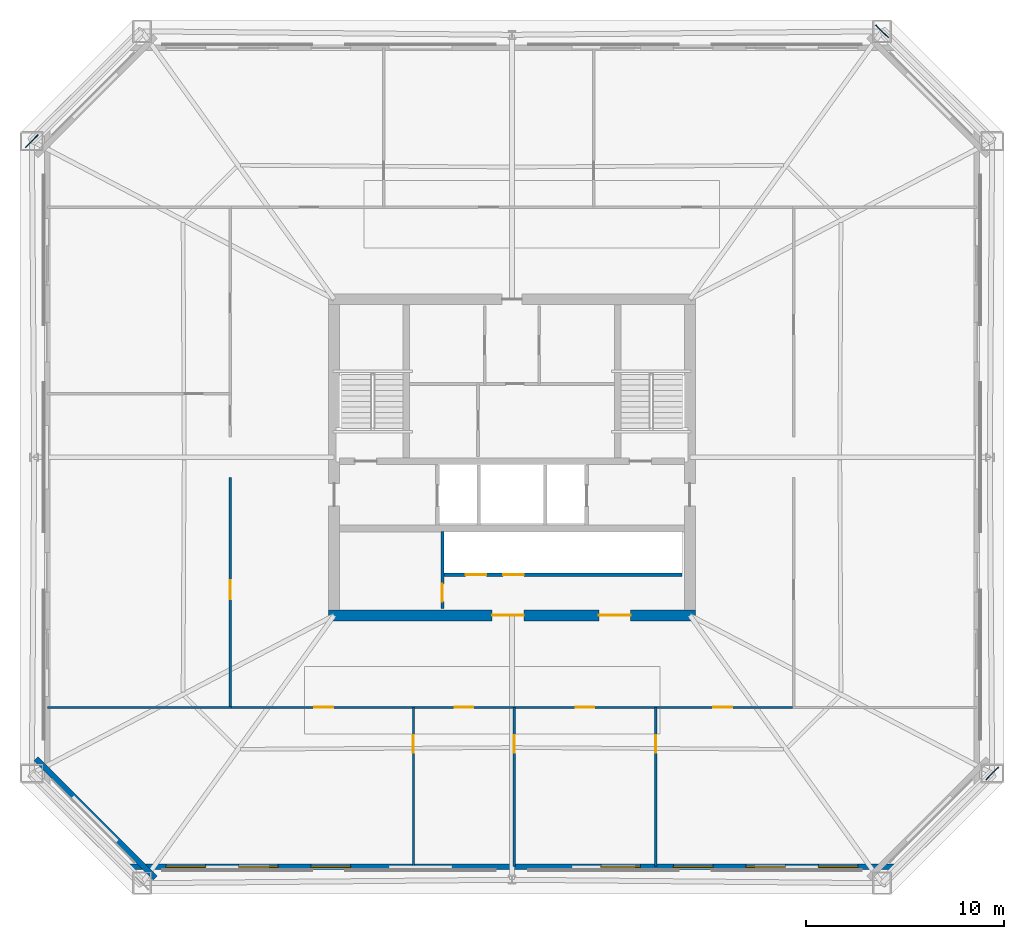
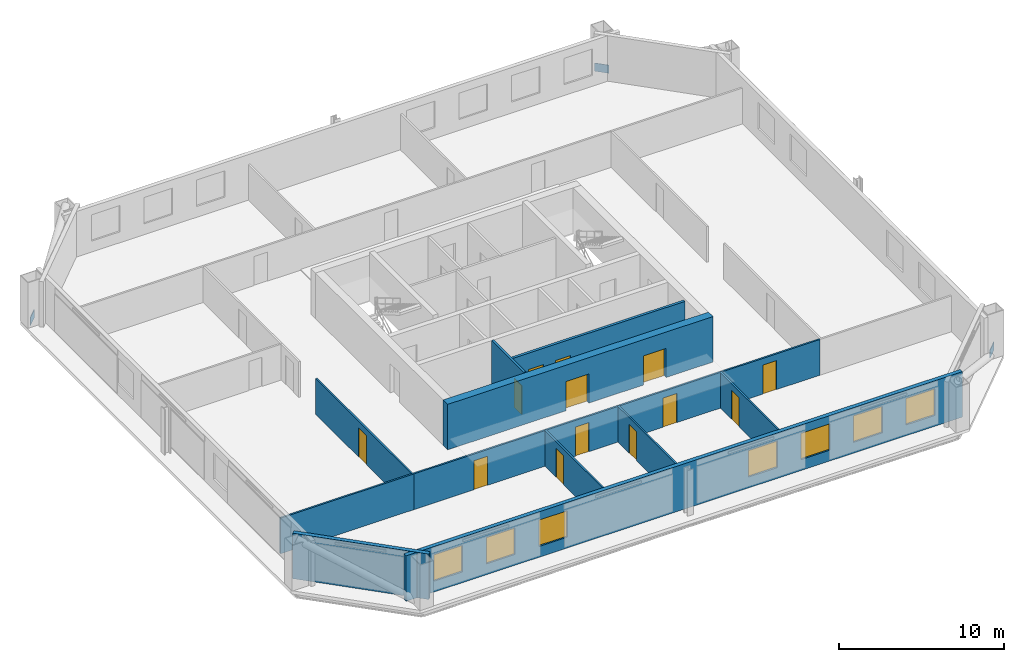
# One storey, part 2 of 7: 13 doors, 11 walls, 7 windows, 3 plates, 20 openings.
"""IFC4 building model written with IfcOpenShell, lengths in metres."""

from ifc_helpers import new_model, si_unit, direction, frame, frame_2d, origin, origin_2d, place, context, subcontext, project, spatial, rectangle, extrude, material, layer, layer_set, type_object, element, fill, save


model = new_model("IFC4")

# Units and contexts
model_context = context("Model", 3, precision=1e-05, world=origin(), true_north=direction((0.0, 1.0)))
body_context = subcontext(model_context, "Body", "Model", "MODEL_VIEW")
ifc_project = project(units=[si_unit("LENGTHUNIT", "METRE"), si_unit("AREAUNIT", "SQUARE_METRE"), si_unit("VOLUMEUNIT", "CUBIC_METRE"), si_unit("PLANEANGLEUNIT", "RADIAN"), si_unit("MASSUNIT", "GRAM", prefix="KILO")], contexts=[model_context])

# Site, building, storey
site_placement = place(None, origin())
site = spatial("IfcSite", under=ifc_project, at=site_placement, CompositionType="ELEMENT")
building_placement = place(site_placement, origin())
building = spatial("IfcBuilding", under=site, at=building_placement, Name="Caelvoria Tower", CompositionType="ELEMENT")
storey_placement = place(building_placement, frame((0.0, 0.0, 98.800048828125)))
storey = spatial("IfcBuildingStorey", under=building, at=storey_placement, Name="L25", CompositionType="ELEMENT", Elevation=98.800048828125)

# Plates
ifc_material_1 = material(Name="Structural Steel ASTM A572 Gr.50", Category="steel")
ifc_layer_1 = layer(ifc_material_1, 0.0400390625, Name="Structural Steel ASTM A572 Gr.50")
ifc_layer_set_1 = layer_set([ifc_layer_1], Name="Megaframe Node Gusset Plate 900x600x40 - Structural Steel ASTM A572 Gr.50")
plate_type = type_object("IfcPlateType", Name="Megaframe Node Gusset Plate 900x600x40", PredefinedType="USERDEFINED", material=ifc_layer_set_1)
for number, where, z_axis, x_axis, name in (
    (1, (70.298583984375, 15.99609375, 0.02001953125), (0.0, 0.0, 1.0), (-0.708275771936, -0.705935854656, 0.0), "Chamfer Mega Brace Gusset L25 SE"),
    (2, (64.727783203125, 53.556396484375, 0.02001953125), (0.0, 0.0, 1.0), (0.708275771936, -0.705935854656, 0.0), "Chamfer Mega Brace Gusset L25 NE"),
    (3, (21.701416015625, 48.00390625, 0.02001953125), (0.0, 0.0, 1.0), (0.708275771936, 0.705935854656, 0.0), "Chamfer Mega Brace Gusset L25 NW"),
):
    element("IfcPlate", number, at=place(storey_placement, frame(where, z_axis=z_axis, x_axis=x_axis)), inside=storey, type_object=plate_type, Name=name, ObjectType="GUSSET_PLATE", PredefinedType="USERDEFINED", context=body_context, shape_type="SweptSolid", body=[
        extrude(rectangle(XDim=0.89990234375, YDim=0.0400390625, at=origin_2d()), origin(), (0.0, 0.0, 1.0), 0.60009765625),
    ])

# Wall, opening, door
ifc_material_2 = material(Name="Double Gypsum Board on Steel Stud", Category="steel")
ifc_layer_2 = layer(ifc_material_2, 0.14990234375, Name="Double Gypsum Board on Steel Stud")
ifc_layer_set_2 = layer_set([ifc_layer_2], Name="Core Service Acoustic Partition Wall 150 - Double Gypsum Board on Steel Stud")
wall_type_1 = type_object("IfcWallType", Name="Core Service Acoustic Partition Wall 150", PredefinedType="PARTITIONING", material=ifc_layer_set_2)
wall_1_placement = place(storey_placement, frame((42.47998046875, 24.35009765625, 0.0), z_axis=(0.0, 0.0, 1.0), x_axis=(0.0, 1.0, 0.0)))
wall_1 = element("IfcWall", 4, at=wall_1_placement, inside=storey, type_object=wall_type_1, Name="Interior Partition IW-L25-RECL1E", PredefinedType="PARTITIONING", context=body_context, shape_type="SweptSolid", body=[
    extrude(rectangle(XDim=3.89990234375, YDim=0.14990234375, at=frame_2d((1.949951171875, 0.0))), origin(), (0.0, 0.0, 1.0), 3.35986328125),
])
opening_1_placement = place(wall_1_placement, frame((0.35009765625, 0.0, 0.0)))
opening_1 = element("IfcOpeningElement", 5, at=opening_1_placement, cuts=wall_1, Name="Opening ID-04", PredefinedType="OPENING", context=body_context, shape_type="SweptSolid", body=[
    extrude(rectangle(XDim=0.89990234375, YDim=2.14990234375, at=frame_2d((0.449951171875, 1.074951171875))), frame((0.0, 0.0849609375, 0.0), z_axis=(0.0, -1.0, 0.0), x_axis=(1.0, 0.0, 0.0)), (0.0, 0.0, 1.0), 0.169921875),
])
ifc_material_3 = material(Name="Acoustic Timber Fire Door", Category="wood")
door_type_1 = type_object("IfcDoorType", Name="Fire Door FD30S 900x2150", OperationType="NOTDEFINED", PredefinedType="DOOR", material=ifc_material_3)
door_1_placement = place(opening_1_placement, origin())
door_1 = element("IfcDoor", 6, at=door_1_placement, inside=storey, type_object=door_type_1, Name="Interior Door DR-L25-RECL1", OperationType="SINGLE_SWING_LEFT", OverallHeight=2.14990234375, OverallWidth=0.89990234375, PredefinedType="DOOR", context=body_context, shape_type="SweptSolid", body=[
    extrude(rectangle(XDim=0.89990234375, YDim=2.14990234375, at=frame_2d((0.449951171875, 1.074951171875))), frame((0.0, 0.02490234375, 0.0), z_axis=(0.0, -1.0, 0.0), x_axis=(1.0, 0.0, 0.0)), (0.0, 0.0, 1.0), 0.050048828125),
])
fill(opening_1, door_1)

# Wall, openings, windows
ifc_material_4 = material(Name="Precast Concrete C40/50 with Bronze Cladding", Category="concrete")
ifc_layer_3 = layer(ifc_material_4, 0.280029296875, Name="Precast Concrete C40/50 with Bronze Cladding")
ifc_layer_set_3 = layer_set([ifc_layer_3], Name="Exterior Precast Concrete C40/50 Bronze-Clad Facade Wall 280 - Precast Concrete C40/50 with Bronze Cladding")
wall_type_2 = type_object("IfcWallType", Name="Exterior Precast Concrete C40/50 Bronze-Clad Facade Wall 280", PredefinedType="STANDARD", material=ifc_layer_set_3)
wall_2_placement = place(storey_placement, frame((26.56005859375, 11.280029296875, 0.0), z_axis=(0.0, 0.0, 1.0), x_axis=(1.0, 0.0, 0.0)))
wall_2 = element("IfcWall", 7, at=wall_2_placement, inside=storey, type_object=wall_type_2, Name="Exterior Facade Wall L25-E0", PredefinedType="STANDARD", context=body_context, shape_type="SweptSolid", body=[
    extrude(rectangle(XDim=38.8798828125, YDim=0.280029296875, at=frame_2d((19.43994140625, 0.0))), origin(), (0.0, 0.0, 1.0), 3.35986328125),
])
opening_2_placement = place(wall_2_placement, frame((1.93408203125, 0.0, 0.800048828125)))
opening_2 = element("IfcOpeningElement", 8, at=opening_2_placement, cuts=wall_2, Name="Opening WN-01", PredefinedType="OPENING", context=body_context, shape_type="SweptSolid", body=[
    extrude(rectangle(XDim=2.0, YDim=1.949951171875, at=frame_2d((1.0, 0.97509765625))), frame((0.0, 0.14990234375, 0.0), z_axis=(0.0, -1.0, 0.0), x_axis=(1.0, 0.0, 0.0)), (0.0, 0.0, 1.0), 0.300048828125),
])
opening_3_placement = place(wall_2_placement, frame((5.60205078125, 0.0, 0.800048828125)))
opening_3 = element("IfcOpeningElement", 9, at=opening_3_placement, cuts=wall_2, Name="Opening WN-01", PredefinedType="OPENING", context=body_context, shape_type="SweptSolid", body=[
    extrude(rectangle(XDim=2.0, YDim=1.949951171875, at=frame_2d((1.0, 0.97509765625))), frame((0.0, 0.14990234375, 0.0), z_axis=(0.0, -1.0, 0.0), x_axis=(1.0, 0.0, 0.0)), (0.0, 0.0, 1.0), 0.300048828125),
])
opening_4_placement = place(wall_2_placement, frame((9.27001953125, 0.0, 0.800048828125)))
opening_4 = element("IfcOpeningElement", 10, at=opening_4_placement, cuts=wall_2, Name="Opening WN-01", PredefinedType="OPENING", context=body_context, shape_type="SweptSolid", body=[
    extrude(rectangle(XDim=2.0, YDim=1.949951171875, at=frame_2d((1.0, 0.97509765625))), frame((0.0, 0.14990234375, 0.0), z_axis=(0.0, -1.0, 0.0), x_axis=(1.0, 0.0, 0.0)), (0.0, 0.0, 1.0), 0.300048828125),
])
opening_5_placement = place(wall_2_placement, frame((23.94189453125, 0.0, 0.800048828125)))
opening_5 = element("IfcOpeningElement", 11, at=opening_5_placement, cuts=wall_2, Name="Opening WN-01", PredefinedType="OPENING", context=body_context, shape_type="SweptSolid", body=[
    extrude(rectangle(XDim=2.0, YDim=1.949951171875, at=frame_2d((1.0, 0.97509765625))), frame((0.0, 0.14990234375, 0.0), z_axis=(0.0, -1.0, 0.0), x_axis=(1.0, 0.0, 0.0)), (0.0, 0.0, 1.0), 0.300048828125),
])
opening_6_placement = place(wall_2_placement, frame((27.610107421875, 0.0, 0.800048828125)))
opening_6 = element("IfcOpeningElement", 12, at=opening_6_placement, cuts=wall_2, Name="Opening WN-01", PredefinedType="OPENING", context=body_context, shape_type="SweptSolid", body=[
    extrude(rectangle(XDim=2.0, YDim=1.949951171875, at=frame_2d((1.0, 0.97509765625))), frame((0.0, 0.14990234375, 0.0), z_axis=(0.0, -1.0, 0.0), x_axis=(1.0, 0.0, 0.0)), (0.0, 0.0, 1.0), 0.300048828125),
])
opening_7_placement = place(wall_2_placement, frame((31.278076171875, 0.0, 0.800048828125)))
opening_7 = element("IfcOpeningElement", 13, at=opening_7_placement, cuts=wall_2, Name="Opening WN-01", PredefinedType="OPENING", context=body_context, shape_type="SweptSolid", body=[
    extrude(rectangle(XDim=2.0, YDim=1.949951171875, at=frame_2d((1.0, 0.97509765625))), frame((0.0, 0.14990234375, 0.0), z_axis=(0.0, -1.0, 0.0), x_axis=(1.0, 0.0, 0.0)), (0.0, 0.0, 1.0), 0.300048828125),
])
opening_8_placement = place(wall_2_placement, frame((34.946044921875, 0.0, 0.800048828125)))
opening_8 = element("IfcOpeningElement", 14, at=opening_8_placement, cuts=wall_2, Name="Opening WN-01", PredefinedType="OPENING", context=body_context, shape_type="SweptSolid", body=[
    extrude(rectangle(XDim=2.0, YDim=1.949951171875, at=frame_2d((1.0, 0.97509765625))), frame((0.0, 0.14990234375, 0.0), z_axis=(0.0, -1.0, 0.0), x_axis=(1.0, 0.0, 0.0)), (0.0, 0.0, 1.0), 0.300048828125),
])
ifc_material_5 = material(Name="Low-E Tinted Glass in Bronze Aluminium Frame", Category="aluminium")
window_type = type_object("IfcWindowType", Name="Tower Office Vision Window 2000x1950", PartitioningType="SINGLE_PANEL", PredefinedType="WINDOW", material=ifc_material_5)
window_1_placement = place(opening_2_placement, origin())
window_1 = element("IfcWindow", 15, at=window_1_placement, inside=storey, type_object=window_type, Name="Facade Window L25-E0-00", OverallHeight=1.949951171875, OverallWidth=2.0, PartitioningType="SINGLE_PANEL", PredefinedType="WINDOW", context=body_context, shape_type="SweptSolid", body=[
    extrude(rectangle(XDim=2.0, YDim=1.949951171875, at=frame_2d((1.0, 0.97509765625))), frame((0.0, 0.030029296875, 0.0), z_axis=(0.0, -1.0, 0.0), x_axis=(1.0, 0.0, 0.0)), (0.0, 0.0, 1.0), 0.06005859375),
])
fill(opening_2, window_1)
window_2_placement = place(opening_3_placement, origin())
window_2 = element("IfcWindow", 16, at=window_2_placement, inside=storey, type_object=window_type, Name="Facade Window L25-E0-01", OverallHeight=1.949951171875, OverallWidth=2.0, PartitioningType="SINGLE_PANEL", PredefinedType="WINDOW", context=body_context, shape_type="SweptSolid", body=[
    extrude(rectangle(XDim=2.0, YDim=1.949951171875, at=frame_2d((1.0, 0.97509765625))), frame((0.0, 0.030029296875, 0.0), z_axis=(0.0, -1.0, 0.0), x_axis=(1.0, 0.0, 0.0)), (0.0, 0.0, 1.0), 0.06005859375),
])
fill(opening_3, window_2)
window_3_placement = place(opening_4_placement, origin())
window_3 = element("IfcWindow", 17, at=window_3_placement, inside=storey, type_object=window_type, Name="Facade Window L25-E0-02", OverallHeight=1.949951171875, OverallWidth=2.0, PartitioningType="SINGLE_PANEL", PredefinedType="WINDOW", context=body_context, shape_type="SweptSolid", body=[
    extrude(rectangle(XDim=2.0, YDim=1.949951171875, at=frame_2d((1.0, 0.97509765625))), frame((0.0, 0.030029296875, 0.0), z_axis=(0.0, -1.0, 0.0), x_axis=(1.0, 0.0, 0.0)), (0.0, 0.0, 1.0), 0.06005859375),
])
fill(opening_4, window_3)
window_4_placement = place(opening_5_placement, origin())
window_4 = element("IfcWindow", 18, at=window_4_placement, inside=storey, type_object=window_type, Name="Facade Window L25-E0-06", OverallHeight=1.949951171875, OverallWidth=2.0, PartitioningType="SINGLE_PANEL", PredefinedType="WINDOW", context=body_context, shape_type="SweptSolid", body=[
    extrude(rectangle(XDim=2.0, YDim=1.949951171875, at=frame_2d((1.0, 0.97509765625))), frame((0.0, 0.030029296875, 0.0), z_axis=(0.0, -1.0, 0.0), x_axis=(1.0, 0.0, 0.0)), (0.0, 0.0, 1.0), 0.06005859375),
])
fill(opening_5, window_4)
window_5_placement = place(opening_6_placement, origin())
window_5 = element("IfcWindow", 19, at=window_5_placement, inside=storey, type_object=window_type, Name="Facade Window L25-E0-07", OverallHeight=1.949951171875, OverallWidth=2.0, PartitioningType="SINGLE_PANEL", PredefinedType="WINDOW", context=body_context, shape_type="SweptSolid", body=[
    extrude(rectangle(XDim=2.0, YDim=1.949951171875, at=frame_2d((1.0, 0.97509765625))), frame((0.0, 0.030029296875, 0.0), z_axis=(0.0, -1.0, 0.0), x_axis=(1.0, 0.0, 0.0)), (0.0, 0.0, 1.0), 0.06005859375),
])
fill(opening_6, window_5)
window_6_placement = place(opening_7_placement, origin())
window_6 = element("IfcWindow", 20, at=window_6_placement, inside=storey, type_object=window_type, Name="Facade Window L25-E0-08", OverallHeight=1.949951171875, OverallWidth=2.0, PartitioningType="SINGLE_PANEL", PredefinedType="WINDOW", context=body_context, shape_type="SweptSolid", body=[
    extrude(rectangle(XDim=2.0, YDim=1.949951171875, at=frame_2d((1.0, 0.97509765625))), frame((0.0, 0.030029296875, 0.0), z_axis=(0.0, -1.0, 0.0), x_axis=(1.0, 0.0, 0.0)), (0.0, 0.0, 1.0), 0.06005859375),
])
fill(opening_7, window_6)
window_7_placement = place(opening_8_placement, origin())
window_7 = element("IfcWindow", 21, at=window_7_placement, inside=storey, type_object=window_type, Name="Facade Window L25-E0-09", OverallHeight=1.949951171875, OverallWidth=2.0, PartitioningType="SINGLE_PANEL", PredefinedType="WINDOW", context=body_context, shape_type="SweptSolid", body=[
    extrude(rectangle(XDim=2.0, YDim=1.949951171875, at=frame_2d((1.0, 0.97509765625))), frame((0.0, 0.030029296875, 0.0), z_axis=(0.0, -1.0, 0.0), x_axis=(1.0, 0.0, 0.0)), (0.0, 0.0, 1.0), 0.06005859375),
])
fill(opening_8, window_7)

# Wall
wall_3_placement = place(storey_placement, frame((21.906005859375, 16.74560546875, 0.0), z_axis=(0.0, 0.0, 1.0), x_axis=(0.707106781187, -0.707106781187, 0.0)))
element("IfcWall", 22, at=wall_3_placement, inside=storey, type_object=wall_type_2, Name="Exterior Facade Wall L25-E7", PredefinedType="STANDARD", context=body_context, shape_type="SweptSolid", body=[
    extrude(rectangle(XDim=8.541259765625, YDim=0.280029296875, at=frame_2d((4.2705078125, 0.0))), origin(), (0.0, 0.0, 1.0), 3.35986328125),
])

# Wall, openings, doors
ifc_material_6 = material(Name="Concrete Block and Fireboard Assembly", Category="concrete")
ifc_layer_4 = layer(ifc_material_6, 0.179931640625, Name="Concrete Block and Fireboard Assembly")
ifc_layer_set_4 = layer_set([ifc_layer_4], Name="Fire-Rated Hoistway Partition Wall 180 - Concrete Block and Fireboard Assembly")
wall_type_3 = type_object("IfcWallType", Name="Fire-Rated Hoistway Partition Wall 180", PredefinedType="PARTITIONING", material=ifc_layer_set_4)
wall_4_placement = place(storey_placement, frame((42.550048828125, 26.050048828125, 0.0), z_axis=(0.0, 0.0, 1.0), x_axis=(1.0, 0.0, 0.0)))
wall_4 = element("IfcWall", 23, at=wall_4_placement, inside=storey, type_object=wall_type_3, Name="Interior Partition IW-L25-LFRONT", PredefinedType="PARTITIONING", context=body_context, shape_type="SweptSolid", body=[
    extrude(rectangle(XDim=12.050048828125, YDim=0.179931640625, at=frame_2d((6.02490234375, 0.0))), origin(), (0.0, 0.0, 1.0), 3.35986328125),
])
opening_9_placement = place(wall_4_placement, frame((1.10009765625, 0.0, 0.0)))
opening_9 = element("IfcOpeningElement", 24, at=opening_9_placement, cuts=wall_4, Name="Opening LD-01", PredefinedType="OPENING", context=body_context, shape_type="SweptSolid", body=[
    extrude(rectangle(XDim=1.050048828125, YDim=2.14990234375, at=frame_2d((0.52490234375, 1.074951171875))), frame((0.0, 0.099853515625, 0.0), z_axis=(0.0, -1.0, 0.0), x_axis=(1.0, 0.0, 0.0)), (0.0, 0.0, 1.0), 0.199951171875),
])
opening_10_placement = place(wall_4_placement, frame((3.0, 0.0, 0.0)))
opening_10 = element("IfcOpeningElement", 25, at=opening_10_placement, cuts=wall_4, Name="Opening LD-01", PredefinedType="OPENING", context=body_context, shape_type="SweptSolid", body=[
    extrude(rectangle(XDim=1.050048828125, YDim=2.14990234375, at=frame_2d((0.52490234375, 1.074951171875))), frame((0.0, 0.099853515625, 0.0), z_axis=(0.0, -1.0, 0.0), x_axis=(1.0, 0.0, 0.0)), (0.0, 0.0, 1.0), 0.199951171875),
])
ifc_material_7 = material(Name="Brushed Bronze Stainless Sliding Landing Door", Category="aluminium")
door_type_2 = type_object("IfcDoorType", Name="Lift Landing Sliding Door 1100x2150", OperationType="NOTDEFINED", PredefinedType="DOOR", material=ifc_material_7)
door_2_placement = place(opening_9_placement, origin())
door_2 = element("IfcDoor", 26, at=door_2_placement, inside=storey, type_object=door_type_2, Name="Interior Door LD-L25-PM1", OperationType="SLIDING_TO_LEFT", OverallHeight=2.14990234375, OverallWidth=1.050048828125, PredefinedType="DOOR", context=body_context, shape_type="SweptSolid", body=[
    extrude(rectangle(XDim=1.050048828125, YDim=2.14990234375, at=frame_2d((0.52490234375, 1.074951171875))), frame((0.0, 0.02490234375, 0.0), z_axis=(0.0, -1.0, 0.0), x_axis=(1.0, 0.0, 0.0)), (0.0, 0.0, 1.0), 0.050048828125),
])
fill(opening_9, door_2)
door_3_placement = place(opening_10_placement, origin())
door_3 = element("IfcDoor", 27, at=door_3_placement, inside=storey, type_object=door_type_2, Name="Interior Door LD-L25-PM2", OperationType="SLIDING_TO_RIGHT", OverallHeight=2.14990234375, OverallWidth=1.050048828125, PredefinedType="DOOR", context=body_context, shape_type="SweptSolid", body=[
    extrude(rectangle(XDim=1.050048828125, YDim=2.14990234375, at=frame_2d((0.52490234375, 1.074951171875))), frame((0.0, 0.02490234375, 0.0), z_axis=(0.0, -1.0, 0.0), x_axis=(1.0, 0.0, 0.0)), (0.0, 0.0, 1.0), 0.050048828125),
])
fill(opening_10, door_3)

ifc_material_8 = material(Name="Concrete C55/67", Category="concrete")
ifc_layer_5 = layer(ifc_material_8, 0.550048828125, Name="Concrete C55/67")
ifc_layer_set_5 = layer_set([ifc_layer_5], Name="Mid Core Shear Wall 550 - Concrete C55/67")
wall_type_4 = type_object("IfcWallType", Name="Mid Core Shear Wall 550", PredefinedType="SHEAR", material=ifc_layer_set_5)
wall_5_placement = place(storey_placement, frame((36.72509765625, 24.0, 0.0), z_axis=(0.0, 0.0, 1.0), x_axis=(1.0, 0.0, 0.0)))
wall_5 = element("IfcWall", 28, at=wall_5_placement, inside=storey, type_object=wall_type_4, Name="Core Shear Wall L25 S", PredefinedType="SHEAR", context=body_context, shape_type="SweptSolid", body=[
    extrude(rectangle(XDim=18.5498046875, YDim=0.550048828125, at=frame_2d((9.27490234375, 0.0))), origin(), (0.0, 0.0, 1.0), 3.35986328125),
])
opening_11_placement = place(wall_5_placement, frame((8.27490234375, 0.0, 0.0)))
opening_11 = element("IfcOpeningElement", 29, at=opening_11_placement, cuts=wall_5, Name="Opening ID-08", PredefinedType="OPENING", context=body_context, shape_type="SweptSolid", body=[
    extrude(rectangle(XDim=1.60009765625, YDim=2.14990234375, at=frame_2d((0.800048828125, 1.074951171875))), frame((0.0, 0.284912109375, 0.0), z_axis=(0.0, -1.0, 0.0), x_axis=(1.0, 0.0, 0.0)), (0.0, 0.0, 1.0), 0.570068359375),
])
opening_12_placement = place(wall_5_placement, frame((13.675048828125, 0.0, 0.0)))
opening_12 = element("IfcOpeningElement", 30, at=opening_12_placement, cuts=wall_5, Name="Opening ID-08", PredefinedType="OPENING", context=body_context, shape_type="SweptSolid", body=[
    extrude(rectangle(XDim=1.60009765625, YDim=2.14990234375, at=frame_2d((0.800048828125, 1.074951171875))), frame((0.0, 0.284912109375, 0.0), z_axis=(0.0, -1.0, 0.0), x_axis=(1.0, 0.0, 0.0)), (0.0, 0.0, 1.0), 0.570068359375),
])
ifc_material_9 = material(Name="Bronze-Framed Fire-Rated Glazed Double Door", Category="aluminium")
door_type_3 = type_object("IfcDoorType", Name="Double Lobby Glazed Door 1600x2200", OperationType="NOTDEFINED", PredefinedType="DOOR", material=ifc_material_9)
door_4_placement = place(opening_11_placement, origin())
door_4 = element("IfcDoor", 31, at=door_4_placement, inside=storey, type_object=door_type_3, Name="Core Door DR-L25-LLOB-S1", OperationType="DOUBLE_DOOR_SINGLE_SWING", OverallHeight=2.14990234375, OverallWidth=1.60009765625, PredefinedType="DOOR", context=body_context, shape_type="SweptSolid", body=[
    extrude(rectangle(XDim=1.60009765625, YDim=2.14990234375, at=frame_2d((0.800048828125, 1.074951171875))), frame((0.0, 0.02490234375, 0.0), z_axis=(0.0, -1.0, 0.0), x_axis=(1.0, 0.0, 0.0)), (0.0, 0.0, 1.0), 0.050048828125),
])
fill(opening_11, door_4)
door_5_placement = place(opening_12_placement, origin())
door_5 = element("IfcDoor", 32, at=door_5_placement, inside=storey, type_object=door_type_3, Name="Core Door DR-L25-LLOB-S2", OperationType="DOUBLE_DOOR_SINGLE_SWING", OverallHeight=2.14990234375, OverallWidth=1.60009765625, PredefinedType="DOOR", context=body_context, shape_type="SweptSolid", body=[
    extrude(rectangle(XDim=1.60009765625, YDim=2.14990234375, at=frame_2d((0.800048828125, 1.074951171875))), frame((0.0, 0.02490234375, 0.0), z_axis=(0.0, -1.0, 0.0), x_axis=(1.0, 0.0, 0.0)), (0.0, 0.0, 1.0), 0.050048828125),
])
fill(opening_12, door_5)

# Wall, opening, door
ifc_material_10 = material(Name="Acoustic Gypsum Board on Light-Gauge Stud", Category="gypsum")
ifc_layer_6 = layer(ifc_material_10, 0.1201171875, Name="Acoustic Gypsum Board on Light-Gauge Stud")
ifc_layer_set_6 = layer_set([ifc_layer_6], Name="Tenant Suite Acoustic Partition Wall 120 - Acoustic Gypsum Board on Light-Gauge Stud")
wall_type_5 = type_object("IfcWallType", Name="Tenant Suite Acoustic Partition Wall 120", PredefinedType="PARTITIONING", material=ifc_layer_set_6)
wall_6_placement = place(storey_placement, frame((41.01220703125, 19.340087890625, 0.0), z_axis=(0.0, 0.0, 1.0), x_axis=(0.0, -1.0, 0.0)))
wall_6 = element("IfcWall", 33, at=wall_6_placement, inside=storey, type_object=wall_type_5, Name="Interior Partition IW-L25-SD-00-0", PredefinedType="PARTITIONING", context=body_context, shape_type="SweptSolid", body=[
    extrude(rectangle(XDim=8.06005859375, YDim=0.1201171875, at=frame_2d((4.030029296875, 0.0))), origin(), (0.0, 0.0, 1.0), 2.639892578125),
])
opening_13_placement = place(wall_6_placement, frame((1.39990234375, 0.0, 0.0)))
opening_13 = element("IfcOpeningElement", 34, at=opening_13_placement, cuts=wall_6, Name="Opening ID-06", PredefinedType="OPENING", context=body_context, shape_type="SweptSolid", body=[
    extrude(rectangle(XDim=0.89990234375, YDim=2.14990234375, at=frame_2d((0.449951171875, 1.074951171875))), frame((0.0, 0.070068359375, 0.0), z_axis=(0.0, -1.0, 0.0), x_axis=(1.0, 0.0, 0.0)), (0.0, 0.0, 1.0), 0.14013671875),
])
ifc_material_11 = material(Name="Engineered Andean Oak Veneer Door", Category="wood")
door_type_4 = type_object("IfcDoorType", Name="Interior Timber Door 900x2150", OperationType="NOTDEFINED", PredefinedType="DOOR", material=ifc_material_11)
door_6_placement = place(opening_13_placement, origin())
door_6 = element("IfcDoor", 35, at=door_6_placement, inside=storey, type_object=door_type_4, Name="Interior Door DR-L25-SM-00-0", OperationType="SINGLE_SWING_RIGHT", OverallHeight=2.14990234375, OverallWidth=0.89990234375, PredefinedType="DOOR", context=body_context, shape_type="SweptSolid", body=[
    extrude(rectangle(XDim=0.89990234375, YDim=2.14990234375, at=frame_2d((0.449951171875, 1.074951171875))), frame((0.0, 0.02490234375, 0.0), z_axis=(0.0, -1.0, 0.0), x_axis=(1.0, 0.0, 0.0)), (0.0, 0.0, 1.0), 0.050048828125),
])
fill(opening_13, door_6)

wall_7_placement = place(storey_placement, frame((46.117919921875, 19.340087890625, 0.0), z_axis=(0.0, 0.0, 1.0), x_axis=(0.0, -1.0, 0.0)))
wall_7 = element("IfcWall", 36, at=wall_7_placement, inside=storey, type_object=wall_type_5, Name="Interior Partition IW-L25-SD-01-0", PredefinedType="PARTITIONING", context=body_context, shape_type="SweptSolid", body=[
    extrude(rectangle(XDim=8.06005859375, YDim=0.1201171875, at=frame_2d((4.030029296875, 0.0))), origin(), (0.0, 0.0, 1.0), 2.639892578125),
])
opening_14_placement = place(wall_7_placement, frame((1.39990234375, 0.0, 0.0)))
opening_14 = element("IfcOpeningElement", 37, at=opening_14_placement, cuts=wall_7, Name="Opening ID-06", PredefinedType="OPENING", context=body_context, shape_type="SweptSolid", body=[
    extrude(rectangle(XDim=0.89990234375, YDim=2.14990234375, at=frame_2d((0.449951171875, 1.074951171875))), frame((0.0, 0.070068359375, 0.0), z_axis=(0.0, -1.0, 0.0), x_axis=(1.0, 0.0, 0.0)), (0.0, 0.0, 1.0), 0.14013671875),
])
door_7_placement = place(opening_14_placement, origin())
door_7 = element("IfcDoor", 38, at=door_7_placement, inside=storey, type_object=door_type_4, Name="Interior Door DR-L25-SM-01-0", OperationType="SINGLE_SWING_LEFT", OverallHeight=2.14990234375, OverallWidth=0.89990234375, PredefinedType="DOOR", context=body_context, shape_type="SweptSolid", body=[
    extrude(rectangle(XDim=0.89990234375, YDim=2.14990234375, at=frame_2d((0.449951171875, 1.074951171875))), frame((0.0, 0.02490234375, 0.0), z_axis=(0.0, -1.0, 0.0), x_axis=(1.0, 0.0, 0.0)), (0.0, 0.0, 1.0), 0.050048828125),
])
fill(opening_14, door_7)

wall_8_placement = place(storey_placement, frame((53.27734375, 19.340087890625, 0.0), z_axis=(0.0, 0.0, 1.0), x_axis=(0.0, -1.0, 0.0)))
wall_8 = element("IfcWall", 39, at=wall_8_placement, inside=storey, type_object=wall_type_5, Name="Interior Partition IW-L25-SD-02-0", PredefinedType="PARTITIONING", context=body_context, shape_type="SweptSolid", body=[
    extrude(rectangle(XDim=8.06005859375, YDim=0.1201171875, at=frame_2d((4.030029296875, 0.0))), origin(), (0.0, 0.0, 1.0), 2.639892578125),
])
opening_15_placement = place(wall_8_placement, frame((1.39990234375, 0.0, 0.0)))
opening_15 = element("IfcOpeningElement", 40, at=opening_15_placement, cuts=wall_8, Name="Opening ID-06", PredefinedType="OPENING", context=body_context, shape_type="SweptSolid", body=[
    extrude(rectangle(XDim=0.89990234375, YDim=2.14990234375, at=frame_2d((0.449951171875, 1.074951171875))), frame((0.0, 0.070068359375, 0.0), z_axis=(0.0, -1.0, 0.0), x_axis=(1.0, 0.0, 0.0)), (0.0, 0.0, 1.0), 0.14013671875),
])
door_8_placement = place(opening_15_placement, origin())
door_8 = element("IfcDoor", 41, at=door_8_placement, inside=storey, type_object=door_type_4, Name="Interior Door DR-L25-SM-02-0", OperationType="SINGLE_SWING_RIGHT", OverallHeight=2.14990234375, OverallWidth=0.89990234375, PredefinedType="DOOR", context=body_context, shape_type="SweptSolid", body=[
    extrude(rectangle(XDim=0.89990234375, YDim=2.14990234375, at=frame_2d((0.449951171875, 1.074951171875))), frame((0.0, 0.02490234375, 0.0), z_axis=(0.0, -1.0, 0.0), x_axis=(1.0, 0.0, 0.0)), (0.0, 0.0, 1.0), 0.050048828125),
])
fill(opening_15, door_8)

# Wall, openings, doors
wall_9_placement = place(storey_placement, frame((31.800048828125, 19.340087890625, 0.0), z_axis=(0.0, 0.0, 1.0), x_axis=(1.0, 0.0, 0.0)))
wall_9 = element("IfcWall", 42, at=wall_9_placement, inside=storey, type_object=wall_type_5, Name="Interior Partition IW-L25-SCW-0", PredefinedType="PARTITIONING", context=body_context, shape_type="SweptSolid", body=[
    extrude(rectangle(XDim=28.39990234375, YDim=0.1201171875, at=frame_2d((14.199951171875, 0.0))), origin(), (0.0, 0.0, 1.0), 2.639892578125),
])
opening_16_placement = place(wall_9_placement, frame((4.201171875, 0.0, 0.0)))
opening_16 = element("IfcOpeningElement", 43, at=opening_16_placement, cuts=wall_9, Name="Opening ID-05", PredefinedType="OPENING", context=body_context, shape_type="SweptSolid", body=[
    extrude(rectangle(XDim=0.949951171875, YDim=2.14990234375, at=frame_2d((0.47509765625, 1.074951171875))), frame((0.0, 0.070068359375, 0.0), z_axis=(0.0, -1.0, 0.0), x_axis=(1.0, 0.0, 0.0)), (0.0, 0.0, 1.0), 0.14013671875),
])
opening_17_placement = place(wall_9_placement, frame((11.289794921875, 0.0, 0.0)))
opening_17 = element("IfcOpeningElement", 44, at=opening_17_placement, cuts=wall_9, Name="Opening ID-05", PredefinedType="OPENING", context=body_context, shape_type="SweptSolid", body=[
    extrude(rectangle(XDim=0.949951171875, YDim=2.14990234375, at=frame_2d((0.47509765625, 1.074951171875))), frame((0.0, 0.070068359375, 0.0), z_axis=(0.0, -1.0, 0.0), x_axis=(1.0, 0.0, 0.0)), (0.0, 0.0, 1.0), 0.14013671875),
])
opening_18_placement = place(wall_9_placement, frame((17.422607421875, 0.0, 0.0)))
opening_18 = element("IfcOpeningElement", 45, at=opening_18_placement, cuts=wall_9, Name="Opening ID-05", PredefinedType="OPENING", context=body_context, shape_type="SweptSolid", body=[
    extrude(rectangle(XDim=0.949951171875, YDim=2.14990234375, at=frame_2d((0.47509765625, 1.074951171875))), frame((0.0, 0.070068359375, 0.0), z_axis=(0.0, -1.0, 0.0), x_axis=(1.0, 0.0, 0.0)), (0.0, 0.0, 1.0), 0.14013671875),
])
opening_19_placement = place(wall_9_placement, frame((24.393798828125, 0.0, 0.0)))
opening_19 = element("IfcOpeningElement", 46, at=opening_19_placement, cuts=wall_9, Name="Opening ID-05", PredefinedType="OPENING", context=body_context, shape_type="SweptSolid", body=[
    extrude(rectangle(XDim=0.949951171875, YDim=2.14990234375, at=frame_2d((0.47509765625, 1.074951171875))), frame((0.0, 0.070068359375, 0.0), z_axis=(0.0, -1.0, 0.0), x_axis=(1.0, 0.0, 0.0)), (0.0, 0.0, 1.0), 0.14013671875),
])
door_type_5 = type_object("IfcDoorType", Name="Interior Timber Door 950x2150", OperationType="NOTDEFINED", PredefinedType="DOOR", material=ifc_material_11)
door_9_placement = place(opening_16_placement, origin())
door_9 = element("IfcDoor", 47, at=door_9_placement, inside=storey, type_object=door_type_5, Name="Interior Door DR-L25-SC-00-0", OperationType="SINGLE_SWING_RIGHT", OverallHeight=2.14990234375, OverallWidth=0.949951171875, PredefinedType="DOOR", context=body_context, shape_type="SweptSolid", body=[
    extrude(rectangle(XDim=0.949951171875, YDim=2.14990234375, at=frame_2d((0.47509765625, 1.074951171875))), frame((0.0, 0.02490234375, 0.0), z_axis=(0.0, -1.0, 0.0), x_axis=(1.0, 0.0, 0.0)), (0.0, 0.0, 1.0), 0.050048828125),
])
fill(opening_16, door_9)
door_10_placement = place(opening_17_placement, origin())
door_10 = element("IfcDoor", 48, at=door_10_placement, inside=storey, type_object=door_type_5, Name="Interior Door DR-L25-SC-01-0", OperationType="SINGLE_SWING_LEFT", OverallHeight=2.14990234375, OverallWidth=0.949951171875, PredefinedType="DOOR", context=body_context, shape_type="SweptSolid", body=[
    extrude(rectangle(XDim=0.949951171875, YDim=2.14990234375, at=frame_2d((0.47509765625, 1.074951171875))), frame((0.0, 0.02490234375, 0.0), z_axis=(0.0, -1.0, 0.0), x_axis=(1.0, 0.0, 0.0)), (0.0, 0.0, 1.0), 0.050048828125),
])
fill(opening_17, door_10)
door_11_placement = place(opening_18_placement, origin())
door_11 = element("IfcDoor", 49, at=door_11_placement, inside=storey, type_object=door_type_5, Name="Interior Door DR-L25-SC-02-0", OperationType="SINGLE_SWING_RIGHT", OverallHeight=2.14990234375, OverallWidth=0.949951171875, PredefinedType="DOOR", context=body_context, shape_type="SweptSolid", body=[
    extrude(rectangle(XDim=0.949951171875, YDim=2.14990234375, at=frame_2d((0.47509765625, 1.074951171875))), frame((0.0, 0.02490234375, 0.0), z_axis=(0.0, -1.0, 0.0), x_axis=(1.0, 0.0, 0.0)), (0.0, 0.0, 1.0), 0.050048828125),
])
fill(opening_18, door_11)
door_12_placement = place(opening_19_placement, origin())
door_12 = element("IfcDoor", 50, at=door_12_placement, inside=storey, type_object=door_type_5, Name="Interior Door DR-L25-SC-03-0", OperationType="SINGLE_SWING_LEFT", OverallHeight=2.14990234375, OverallWidth=0.949951171875, PredefinedType="DOOR", context=body_context, shape_type="SweptSolid", body=[
    extrude(rectangle(XDim=0.949951171875, YDim=2.14990234375, at=frame_2d((0.47509765625, 1.074951171875))), frame((0.0, 0.02490234375, 0.0), z_axis=(0.0, -1.0, 0.0), x_axis=(1.0, 0.0, 0.0)), (0.0, 0.0, 1.0), 0.050048828125),
])
fill(opening_19, door_12)

# Wall, opening, door
wall_10_placement = place(storey_placement, frame((31.739990234375, 19.39990234375, 0.0), z_axis=(0.0, 0.0, 1.0), x_axis=(0.0, 1.0, 0.0)))
wall_10 = element("IfcWall", 51, at=wall_10_placement, inside=storey, type_object=wall_type_5, Name="Interior Partition IW-L25-WCW-0", PredefinedType="PARTITIONING", context=body_context, shape_type="SweptSolid", body=[
    extrude(rectangle(XDim=11.580078125, YDim=0.1201171875, at=frame_2d((5.7900390625, 0.0))), origin(), (0.0, 0.0, 1.0), 2.639892578125),
])
opening_20_placement = place(wall_10_placement, frame((5.4150390625, 0.0, 0.0)))
opening_20 = element("IfcOpeningElement", 52, at=opening_20_placement, cuts=wall_10, Name="Opening ID-05", PredefinedType="OPENING", context=body_context, shape_type="SweptSolid", body=[
    extrude(rectangle(XDim=0.949951171875, YDim=2.14990234375, at=frame_2d((0.47509765625, 1.074951171875))), frame((0.0, 0.070068359375, 0.0), z_axis=(0.0, -1.0, 0.0), x_axis=(1.0, 0.0, 0.0)), (0.0, 0.0, 1.0), 0.14013671875),
])
door_13_placement = place(opening_20_placement, origin())
door_13 = element("IfcDoor", 53, at=door_13_placement, inside=storey, type_object=door_type_5, Name="Interior Door DR-L25-WC-00-1", OperationType="SINGLE_SWING_LEFT", OverallHeight=2.14990234375, OverallWidth=0.949951171875, PredefinedType="DOOR", context=body_context, shape_type="SweptSolid", body=[
    extrude(rectangle(XDim=0.949951171875, YDim=2.14990234375, at=frame_2d((0.47509765625, 1.074951171875))), frame((0.0, 0.02490234375, 0.0), z_axis=(0.0, -1.0, 0.0), x_axis=(1.0, 0.0, 0.0)), (0.0, 0.0, 1.0), 0.050048828125),
])
fill(opening_20, door_13)

# Wall
wall_11_placement = place(storey_placement, frame((31.800048828125, 19.340087890625, 0.0), z_axis=(0.0, 0.0, 1.0), x_axis=(-1.0, 0.0, 0.0)))
element("IfcWall", 54, at=wall_11_placement, inside=storey, type_object=wall_type_5, Name="Interior Partition IW-L25-BSW-0", PredefinedType="PARTITIONING", context=body_context, shape_type="SweptSolid", body=[
    extrude(rectangle(XDim=9.320068359375, YDim=0.1201171875, at=frame_2d((4.66015625, 0.0))), origin(), (0.0, 0.0, 1.0), 2.639892578125),
])

save(model, "model.ifc")
